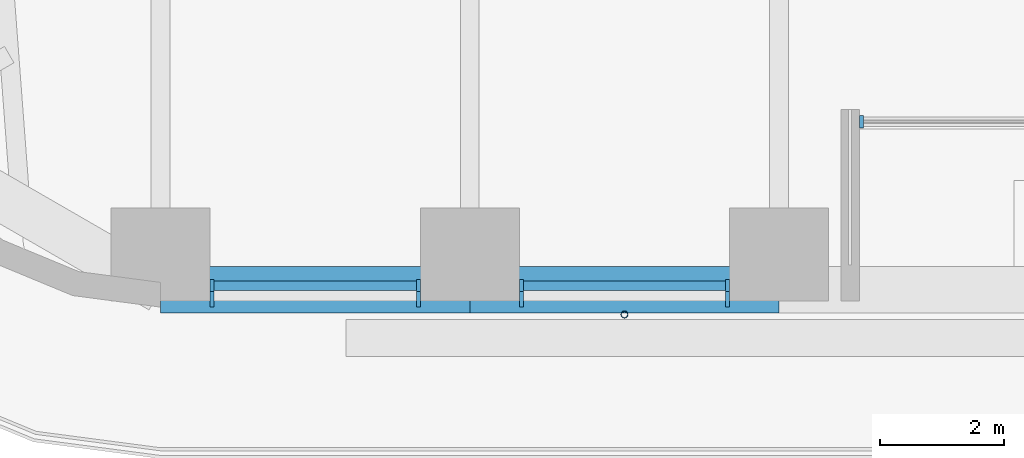
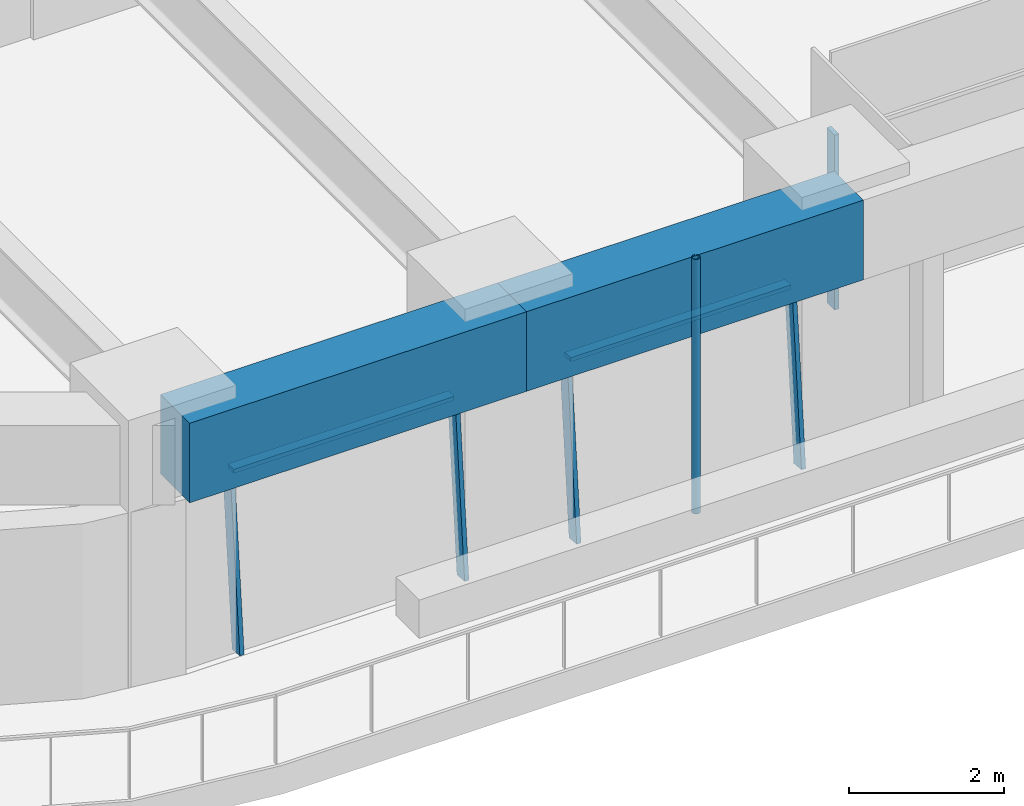
# One storey, part 2 of 24: 8 members, 2 beams, 3 elements without a shape of their own.
"""IFC4 building model written with IfcOpenShell, lengths in metres."""

from ifc_helpers import new_model, si_unit, direction, frame, origin, origin_2d, place, context, subcontext, project, spatial, rectangle, hollow_circle, extrude, material, material_profile, profile_set, type_object, element, aggregate, save


model = new_model("IFC4")

# Units and contexts
model_context = context("Model", 3, precision=1e-05, world=origin(), true_north=direction((0.0, 1.0)))
body_context = subcontext(model_context, "Body", "Model", "MODEL_VIEW")
ifc_project = project(units=[si_unit("LENGTHUNIT", "METRE"), si_unit("AREAUNIT", "SQUARE_METRE"), si_unit("VOLUMEUNIT", "CUBIC_METRE"), si_unit("PLANEANGLEUNIT", "RADIAN"), si_unit("MASSUNIT", "GRAM", prefix="KILO")], contexts=[model_context])

# Site, building, storey
site_placement = place(None, origin())
site = spatial("IfcSite", under=ifc_project, at=site_placement, CompositionType="ELEMENT")
building_placement = place(site_placement, origin())
building = spatial("IfcBuilding", under=site, at=building_placement, Name="Tarfa Lantern Tower", CompositionType="ELEMENT")
storey_placement = place(building_placement, frame((0.0, 0.0, 153.10009765625)))
storey = spatial("IfcBuildingStorey", under=building, at=storey_placement, Name="L34", CompositionType="ELEMENT", Elevation=153.10009765625)

# Curtain wall, members
ifc_material_1 = material(Name="Aluminium framed curtain wall", Category="aluminium")
curtain_wall_type_1 = type_object("IfcCurtainWallType", Name="CW2 CANTED GLAZING MID ZONE 2750", PredefinedType="USERDEFINED", material=ifc_material_1)
curtain_wall_1_placement = place(storey_placement, origin())
curtain_wall_1 = element("IfcCurtainWall", 1, at=curtain_wall_1_placement, inside=storey, type_object=curtain_wall_type_1, Name="CW2 S L34", ObjectType="CURTAIN WALL", PredefinedType="USERDEFINED")
ifc_material_2 = material(Name="Aluminium mullion", Category="aluminium")
ifc_material_profile_1 = material_profile(ifc_material_2, rectangle(XDim=0.06494140625, YDim=0.199951171875, at=origin_2d()), Name="AL MULLION 65x200")
ifc_profile_set_1 = profile_set([ifc_material_profile_1], Name="Aluminium mullion")
member_type_1 = type_object("IfcMemberType", Name="CWM1 MULLION 65x200", PredefinedType="MULLION", material=ifc_profile_set_1)
member_1_placement = place(storey_placement, frame((-14.1787109375, -31.39990234375, 0.0), z_axis=(0.0, 0.090535746043, 0.995893206468), x_axis=(-1.0, 0.0, 0.0)))
member_1 = element("IfcMember", 2, at=member_1_placement, type_object=member_type_1, Name="CW2 mullion 1", PredefinedType="MULLION", context=body_context, shape_type="SweptSolid", body=[
    extrude(rectangle(XDim=0.06494140625, YDim=0.199951171875, at=origin_2d()), origin(), (0.0, 0.0, 1.0), 2.76123046875),
])
member_2_placement = place(storey_placement, frame((-10.83984375, -31.39990234375, 0.0), z_axis=(0.0, 0.090535746043, 0.995893206468), x_axis=(-1.0, 0.0, 0.0)))
member_2 = element("IfcMember", 3, at=member_2_placement, type_object=member_type_1, Name="CW2 mullion 2", PredefinedType="MULLION", context=body_context, shape_type="SweptSolid", body=[
    extrude(rectangle(XDim=0.06494140625, YDim=0.199951171875, at=origin_2d()), origin(), (0.0, 0.0, 1.0), 2.76123046875),
])

curtain_wall_2_placement = place(storey_placement, origin())
curtain_wall_2 = element("IfcCurtainWall", 4, at=curtain_wall_2_placement, inside=storey, type_object=curtain_wall_type_1, Name="CW2 S L34", ObjectType="CURTAIN WALL", PredefinedType="USERDEFINED")
member_3_placement = place(storey_placement, frame((-9.1748046875, -31.39990234375, 0.0), z_axis=(0.0, 0.090535746043, 0.995893206468), x_axis=(-1.0, 0.0, 0.0)))
member_3 = element("IfcMember", 5, at=member_3_placement, type_object=member_type_1, Name="CW2 mullion 1", PredefinedType="MULLION", context=body_context, shape_type="SweptSolid", body=[
    extrude(rectangle(XDim=0.06494140625, YDim=0.199951171875, at=origin_2d()), origin(), (0.0, 0.0, 1.0), 2.76123046875),
])
member_4_placement = place(storey_placement, frame((-5.836181640625, -31.39990234375, 0.0), z_axis=(0.0, 0.090535746043, 0.995893206468), x_axis=(-1.0, 0.0, 0.0)))
member_4 = element("IfcMember", 6, at=member_4_placement, type_object=member_type_1, Name="CW2 mullion 2", PredefinedType="MULLION", context=body_context, shape_type="SweptSolid", body=[
    extrude(rectangle(XDim=0.06494140625, YDim=0.199951171875, at=origin_2d()), origin(), (0.0, 0.0, 1.0), 2.76123046875),
])

# Curtain wall, member
curtain_wall_type_2 = type_object("IfcCurtainWallType", Name="CW10 LOGGIA GLAZING 2750", PredefinedType="USERDEFINED", material=ifc_material_1)
curtain_wall_3_placement = place(storey_placement, origin())
curtain_wall_3 = element("IfcCurtainWall", 7, at=curtain_wall_3_placement, inside=storey, type_object=curtain_wall_type_2, Name="CW10 SL L34", ObjectType="CURTAIN WALL", PredefinedType="USERDEFINED")
member_5_placement = place(storey_placement, frame((-3.671142578125, -28.5, 0.0), z_axis=(0.0, 0.0, 1.0), x_axis=(1.0, 0.0, 0.0)))
member_5 = element("IfcMember", 8, at=member_5_placement, type_object=member_type_1, Name="CW10 mullion 1", PredefinedType="MULLION", context=body_context, shape_type="SweptSolid", body=[
    extrude(rectangle(XDim=0.06494140625, YDim=0.199951171875, at=origin_2d()), origin(), (0.0, 0.0, 1.0), 2.75),
])
aggregate(curtain_wall_3, [member_5])

# Member
ifc_material_3 = material(Name="Aluminium transom", Category="aluminium")
ifc_material_profile_2 = material_profile(ifc_material_3, rectangle(XDim=0.14990234375, YDim=0.06494140625, at=origin_2d()), Name="AL TRANSOM 150x65")
ifc_profile_set_2 = profile_set([ifc_material_profile_2], Name="Aluminium transom")
member_type_2 = type_object("IfcMemberType", Name="CWT1 TRANSOM 150x65", PredefinedType="USERDEFINED", material=ifc_profile_set_2)
member_6_placement = place(storey_placement, frame((-14.14599609375, -31.153076171875, 2.71728515625), z_axis=(1.0, 0.0, 0.0), x_axis=(0.0, 1.0, 0.0)))
member_6 = element("IfcMember", 9, at=member_6_placement, type_object=member_type_2, Name="CW2 transom 1.2", ObjectType="TRANSOM", PredefinedType="USERDEFINED", context=body_context, shape_type="SweptSolid", body=[
    extrude(rectangle(XDim=0.14990234375, YDim=0.06494140625, at=origin_2d()), origin(), (0.0, 0.0, 1.0), 3.273681640625),
])

aggregate(curtain_wall_1, [member_1, member_2, member_6])

member_7_placement = place(storey_placement, frame((-9.142333984375, -31.153076171875, 2.71728515625), z_axis=(1.0, 0.0, 0.0), x_axis=(0.0, 1.0, 0.0)))
member_7 = element("IfcMember", 10, at=member_7_placement, type_object=member_type_2, Name="CW2 transom 1.2", ObjectType="TRANSOM", PredefinedType="USERDEFINED", context=body_context, shape_type="SweptSolid", body=[
    extrude(rectangle(XDim=0.14990234375, YDim=0.06494140625, at=origin_2d()), origin(), (0.0, 0.0, 1.0), 3.273681640625),
])

aggregate(curtain_wall_2, [member_3, member_4, member_7])

# Beams
ifc_material_4 = material(Name="Concrete C80/95", Category="concrete")
ifc_material_profile_3 = material_profile(ifc_material_4, rectangle(XDim=0.75, YDim=1.25, at=origin_2d()), Name="RC 750x1250")
ifc_profile_set_3 = profile_set([ifc_material_profile_3], Name="Concrete C80/95")
beam_type = type_object("IfcBeamType", Name="EB2 RC 750x1250", PredefinedType="SPANDREL", material=ifc_profile_set_3)
for number, where, z_axis, x_axis, name in (
    (11, (-15.010986328125, -31.219970703125, 3.375), (1.0, 0.0, 0.0), (0.0, 1.0, 0.0), "Edge beam S0"),
    (12, (-10.00732421875, -31.219970703125, 3.375), (1.0, 0.0, 0.0), (0.0, 1.0, 0.0), "Edge beam S1"),
):
    element("IfcBeam", number, at=place(storey_placement, frame(where, z_axis=z_axis, x_axis=x_axis)), inside=storey, type_object=beam_type, Name=name, PredefinedType="SPANDREL", context=body_context, shape_type="SweptSolid", body=[
        extrude(rectangle(XDim=0.75, YDim=1.25, at=origin_2d()), origin(), (0.0, 0.0, 1.0), 5.003662109375),
    ])

# Member
ifc_material_5 = material(Name="Steel S355", Category="steel")
ifc_material_profile_4 = material_profile(ifc_material_5, hollow_circle(Radius=0.05712890625, WallThickness=0.00634765625, at=origin_2d()), Name="CHS114.3x6.3")
ifc_profile_set_4 = profile_set([ifc_material_profile_4], Name="Steel S355")
member_type_3 = type_object("IfcMemberType", Name="TR1 GREEN WALL TRELLIS CHS114.3x6.3", PredefinedType="USERDEFINED", material=ifc_profile_set_4)
member_8_placement = place(storey_placement, frame((-7.505615234375, -31.6201171875, 0.0), z_axis=(0.0, 0.0, 1.0), x_axis=(1.0, 0.0, 0.0)))
element("IfcMember", 13, at=member_8_placement, inside=storey, type_object=member_type_3, Name="Trellis post S 1", ObjectType="TRELLIS", PredefinedType="USERDEFINED", context=body_context, shape_type="SweptSolid", body=[
    extrude(hollow_circle(Radius=0.05712890625, WallThickness=0.00634765625, at=origin_2d()), origin(), (0.0, 0.0, 1.0), 4.0),
])

save(model, "model.ifc")
